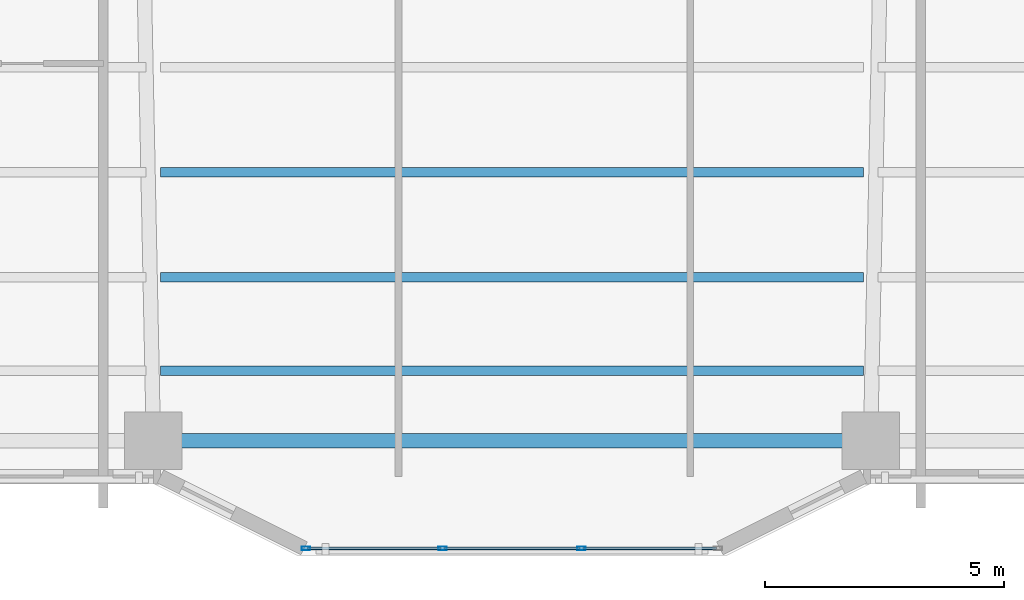
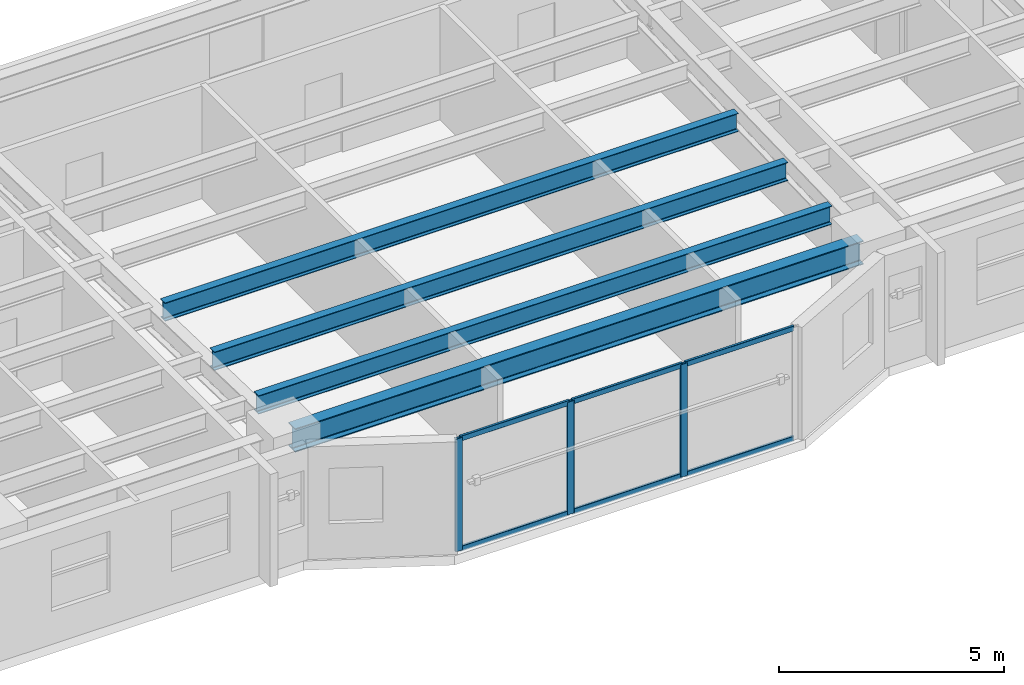
# One storey, part 2 of 20: 9 members, 4 beams, 1 element without a shape of its own.
"""IFC4 building model written with IfcOpenShell, lengths in metres."""

from ifc_helpers import new_model, si_unit, direction, frame, origin, origin_2d, place, context, subcontext, project, spatial, hollow_rectangle, i_section, extrude, material, layer, layer_set, material_profile, profile_set, type_object, element, aggregate, save


model = new_model("IFC4")

# Units and contexts
model_context = context("Model", 3, precision=1e-05, world=origin(), true_north=direction((0.0, 1.0)))
body_context = subcontext(model_context, "Body", "Model", "MODEL_VIEW")
ifc_project = project(units=[si_unit("LENGTHUNIT", "METRE"), si_unit("AREAUNIT", "SQUARE_METRE"), si_unit("VOLUMEUNIT", "CUBIC_METRE"), si_unit("PLANEANGLEUNIT", "RADIAN"), si_unit("MASSUNIT", "GRAM", prefix="KILO")], contexts=[model_context])

# Site, building, storey
site_placement = place(None, origin())
site = spatial("IfcSite", under=ifc_project, at=site_placement, CompositionType="ELEMENT")
building_placement = place(site_placement, origin())
building = spatial("IfcBuilding", under=site, at=building_placement, Name="Tarnavaz Court Tower", CompositionType="ELEMENT")
storey_placement = place(building_placement, frame((0.0, 0.0, 60.85009765625)))
storey = spatial("IfcBuildingStorey", under=building, at=storey_placement, Name="L16", CompositionType="ELEMENT", Elevation=60.85009765625)

# Beams
ifc_material_1 = material(Name="Steel S355", Category="steel")
ifc_material_profile_1 = material_profile(ifc_material_1, i_section(OverallWidth=0.199951171875, OverallDepth=0.5, WebThickness=0.01025390625, FlangeThickness=0.01611328125, FilletRadius=0.02099609375, at=origin_2d()), Name="IPE 500")
ifc_profile_set_1 = profile_set([ifc_material_profile_1], Name="Steel S355")
beam_type_1 = type_object("IfcBeamType", Name="BM-J-IPE500", PredefinedType="JOIST", material=ifc_profile_set_1)
for number, where, z_axis, x_axis, name in (
    (1, (-7.35009765625, -17.18798828125, 2.7998046875), (1.0, 0.0, 0.0), (0.0, 1.0, 0.0), "L16 Beam JS3-2"),
    (2, (-7.35009765625, -19.384033203125, 2.7998046875), (1.0, 0.0, 0.0), (0.0, 1.0, 0.0), "L16 Beam JS4-2"),
    (3, (-7.35009765625, -21.3359375, 2.7998046875), (1.0, 0.0, 0.0), (0.0, 1.0, 0.0), "L16 Beam JS5-2"),
):
    element("IfcBeam", number, at=place(storey_placement, frame(where, z_axis=z_axis, x_axis=x_axis)), inside=storey, type_object=beam_type_1, Name=name, PredefinedType="JOIST", context=body_context, shape_type="SweptSolid", body=[
        extrude(i_section(OverallWidth=0.199951171875, OverallDepth=0.5, WebThickness=0.01025390625, FlangeThickness=0.01611328125, FilletRadius=0.02099609375, at=origin_2d()), origin(), (0.0, 0.0, 1.0), 14.7001953125),
    ])
ifc_material_profile_2 = material_profile(ifc_material_1, i_section(OverallWidth=0.300048828125, OverallDepth=0.639892578125, WebThickness=0.013427734375, FlangeThickness=0.02587890625, FilletRadius=0.027099609375, at=origin_2d()), Name="HEA 650")
ifc_profile_set_2 = profile_set([ifc_material_profile_2], Name="Steel S355")
beam_type_2 = type_object("IfcBeamType", Name="BM-SP-HEA650", PredefinedType="SPANDREL", material=ifc_profile_set_2)
beam_placement = place(storey_placement, frame((-7.280029296875, -22.800048828125, 2.72998046875), z_axis=(1.0, 0.0, 0.0), x_axis=(0.0, 1.0, 0.0)))
element("IfcBeam", 4, at=beam_placement, inside=storey, type_object=beam_type_2, Name="L16 Beam PR-PS-2-PS-3", PredefinedType="SPANDREL", context=body_context, shape_type="SweptSolid", body=[
    extrude(i_section(OverallWidth=0.300048828125, OverallDepth=0.639892578125, WebThickness=0.013427734375, FlangeThickness=0.02587890625, FilletRadius=0.027099609375, at=origin_2d()), origin(), (0.0, 0.0, 1.0), 14.56005859375),
])

# Curtain wall, members
ifc_material_2 = material(Name="Anodised Aluminium 6063-T6 and Solar Low-E Glazing", Category="aluminium")
ifc_layer = layer(ifc_material_2, 0.179931640625)
ifc_layer_set = layer_set([ifc_layer], Name="Anodised Aluminium 6063-T6 and Solar Low-E Glazing")
curtain_wall_type = type_object("IfcCurtainWallType", Name="CW-SYS-02", PredefinedType="NOTDEFINED", material=ifc_layer_set)
curtain_wall_placement = place(storey_placement, origin())
curtain_wall = element("IfcCurtainWall", 5, at=curtain_wall_placement, inside=storey, type_object=curtain_wall_type, Name="L16 Iwan Prow Curtain Wall 17", PredefinedType="NOTDEFINED")
ifc_material_3 = material(Name="Anodised Aluminium 6063-T6", Category="aluminium")
ifc_material_profile_3 = material_profile(ifc_material_3, hollow_rectangle(XDim=0.074951171875, YDim=0.179931640625, WallThickness=0.0048828125, InnerFilletRadius=0.0048828125, OuterFilletRadius=0.010009765625, at=origin_2d()), Name="ALU RHS 180X75X5")
ifc_profile_set_3 = profile_set([ifc_material_profile_3], Name="Anodised Aluminium 6063-T6")
member_type_1 = type_object("IfcMemberType", Name="CW-MUL-180", PredefinedType="MULLION", material=ifc_profile_set_3)
member_1_placement = place(storey_placement, frame((1.449951171875, -25.050048828125, 0.0), z_axis=(0.0, 0.0, 1.0), x_axis=(0.0, -1.0, 0.0)))
member_1 = element("IfcMember", 6, at=member_1_placement, type_object=member_type_1, Name="CW mullion 2", PredefinedType="MULLION", context=body_context, shape_type="SweptSolid", body=[
    extrude(hollow_rectangle(XDim=0.074951171875, YDim=0.179931640625, WallThickness=0.0048828125, InnerFilletRadius=0.0048828125, OuterFilletRadius=0.010009765625, at=origin_2d()), origin(), (0.0, 0.0, 1.0), 3.0498046875),
])
member_2_placement = place(storey_placement, frame((-1.449951171875, -25.050048828125, 0.0), z_axis=(0.0, 0.0, 1.0), x_axis=(0.0, -1.0, 0.0)))
member_2 = element("IfcMember", 7, at=member_2_placement, type_object=member_type_1, Name="CW mullion 3", PredefinedType="MULLION", context=body_context, shape_type="SweptSolid", body=[
    extrude(hollow_rectangle(XDim=0.074951171875, YDim=0.179931640625, WallThickness=0.0048828125, InnerFilletRadius=0.0048828125, OuterFilletRadius=0.010009765625, at=origin_2d()), origin(), (0.0, 0.0, 1.0), 3.0498046875),
])
member_3_placement = place(storey_placement, frame((-4.3125, -25.050048828125, 0.0), z_axis=(0.0, 0.0, 1.0), x_axis=(0.0, -1.0, 0.0)))
member_3 = element("IfcMember", 8, at=member_3_placement, type_object=member_type_1, Name="CW mullion 4", PredefinedType="MULLION", context=body_context, shape_type="SweptSolid", body=[
    extrude(hollow_rectangle(XDim=0.074951171875, YDim=0.179931640625, WallThickness=0.0048828125, InnerFilletRadius=0.0048828125, OuterFilletRadius=0.010009765625, at=origin_2d()), origin(), (0.0, 0.0, 1.0), 3.0498046875),
])
ifc_material_profile_4 = material_profile(ifc_material_3, hollow_rectangle(XDim=0.06494140625, YDim=0.139892578125, WallThickness=0.00390625, InnerFilletRadius=0.00390625, OuterFilletRadius=0.008056640625, at=origin_2d()), Name="ALU RHS 140X65X4")
ifc_profile_set_4 = profile_set([ifc_material_profile_4], Name="Anodised Aluminium 6063-T6")
member_type_2 = type_object("IfcMemberType", Name="CW-TRN-140", PredefinedType="USERDEFINED", material=ifc_profile_set_4)
member_4_placement = place(storey_placement, frame((4.27490234375, -25.050048828125, 0.032470703125), z_axis=(-1.0, 0.0, 0.0), x_axis=(0.0, -1.0, 0.0)))
member_4 = element("IfcMember", 9, at=member_4_placement, type_object=member_type_2, Name="CW transom 1.1", ObjectType="TRANSOM", PredefinedType="USERDEFINED", context=body_context, shape_type="SweptSolid", body=[
    extrude(hollow_rectangle(XDim=0.06494140625, YDim=0.139892578125, WallThickness=0.00390625, InnerFilletRadius=0.00390625, OuterFilletRadius=0.008056640625, at=origin_2d()), origin(), (0.0, 0.0, 1.0), 2.787353515625),
])
member_5_placement = place(storey_placement, frame((4.27490234375, -25.050048828125, 3.017333984375), z_axis=(-1.0, 0.0, 0.0), x_axis=(0.0, -1.0, 0.0)))
member_5 = element("IfcMember", 10, at=member_5_placement, type_object=member_type_2, Name="CW transom 1.2", ObjectType="TRANSOM", PredefinedType="USERDEFINED", context=body_context, shape_type="SweptSolid", body=[
    extrude(hollow_rectangle(XDim=0.06494140625, YDim=0.139892578125, WallThickness=0.00390625, InnerFilletRadius=0.00390625, OuterFilletRadius=0.008056640625, at=origin_2d()), origin(), (0.0, 0.0, 1.0), 2.787353515625),
])
member_6_placement = place(storey_placement, frame((1.41259765625, -25.050048828125, 0.032470703125), z_axis=(-1.0, 0.0, 0.0), x_axis=(0.0, -1.0, 0.0)))
member_6 = element("IfcMember", 11, at=member_6_placement, type_object=member_type_2, Name="CW transom 2.1", ObjectType="TRANSOM", PredefinedType="USERDEFINED", context=body_context, shape_type="SweptSolid", body=[
    extrude(hollow_rectangle(XDim=0.06494140625, YDim=0.139892578125, WallThickness=0.00390625, InnerFilletRadius=0.00390625, OuterFilletRadius=0.008056640625, at=origin_2d()), origin(), (0.0, 0.0, 1.0), 2.8251953125),
])
member_7_placement = place(storey_placement, frame((1.41259765625, -25.050048828125, 3.017333984375), z_axis=(-1.0, 0.0, 0.0), x_axis=(0.0, -1.0, 0.0)))
member_7 = element("IfcMember", 12, at=member_7_placement, type_object=member_type_2, Name="CW transom 2.2", ObjectType="TRANSOM", PredefinedType="USERDEFINED", context=body_context, shape_type="SweptSolid", body=[
    extrude(hollow_rectangle(XDim=0.06494140625, YDim=0.139892578125, WallThickness=0.00390625, InnerFilletRadius=0.00390625, OuterFilletRadius=0.008056640625, at=origin_2d()), origin(), (0.0, 0.0, 1.0), 2.8251953125),
])
member_8_placement = place(storey_placement, frame((-1.487548828125, -25.050048828125, 0.032470703125), z_axis=(-1.0, 0.0, 0.0), x_axis=(0.0, -1.0, 0.0)))
member_8 = element("IfcMember", 13, at=member_8_placement, type_object=member_type_2, Name="CW transom 3.1", ObjectType="TRANSOM", PredefinedType="USERDEFINED", context=body_context, shape_type="SweptSolid", body=[
    extrude(hollow_rectangle(XDim=0.06494140625, YDim=0.139892578125, WallThickness=0.00390625, InnerFilletRadius=0.00390625, OuterFilletRadius=0.008056640625, at=origin_2d()), origin(), (0.0, 0.0, 1.0), 2.787353515625),
])
member_9_placement = place(storey_placement, frame((-1.487548828125, -25.050048828125, 3.017333984375), z_axis=(-1.0, 0.0, 0.0), x_axis=(0.0, -1.0, 0.0)))
member_9 = element("IfcMember", 14, at=member_9_placement, type_object=member_type_2, Name="CW transom 3.2", ObjectType="TRANSOM", PredefinedType="USERDEFINED", context=body_context, shape_type="SweptSolid", body=[
    extrude(hollow_rectangle(XDim=0.06494140625, YDim=0.139892578125, WallThickness=0.00390625, InnerFilletRadius=0.00390625, OuterFilletRadius=0.008056640625, at=origin_2d()), origin(), (0.0, 0.0, 1.0), 2.787353515625),
])
aggregate(curtain_wall, [member_1, member_2, member_3, member_4, member_5, member_6, member_7, member_8, member_9])

save(model, "model.ifc")
